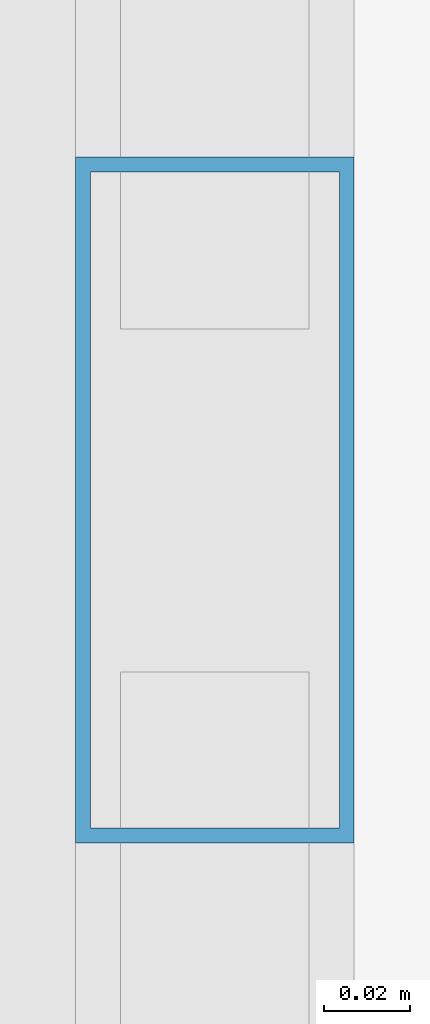
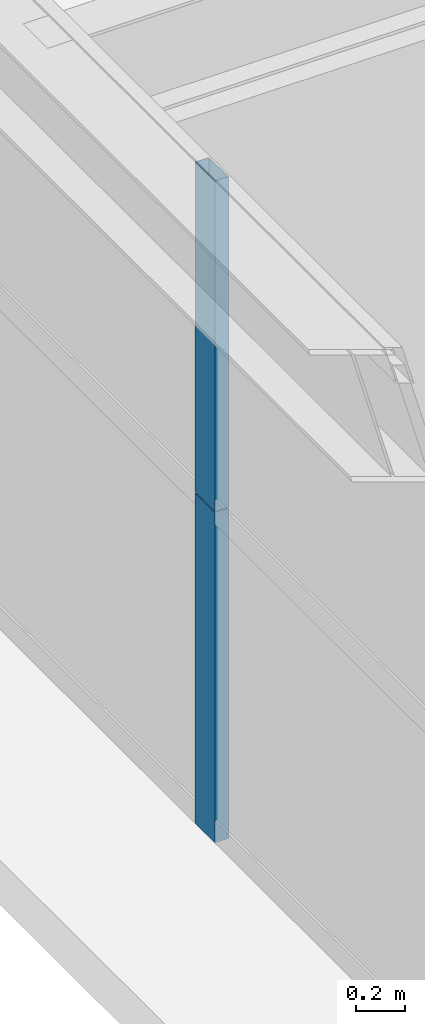
# One storey, part 8 of 38: 2 members, 1 element without a shape of its own.
"""IFC4 building model written with IfcOpenShell, lengths in metres."""

from ifc_helpers import new_model, si_unit, direction, frame, origin, origin_2d, place, context, subcontext, project, spatial, hollow_rectangle, extrude, source, transform, mapped, material, layer, layer_set, material_profile, profile_set, type_object, element, aggregate, save


model = new_model("IFC4")

# Units and contexts
model_context = context("Model", 3, precision=1e-05, world=origin(), true_north=direction((0.0, 1.0)))
body_context = subcontext(model_context, "Body", "Model", "MODEL_VIEW")
ifc_project = project(units=[si_unit("LENGTHUNIT", "METRE"), si_unit("AREAUNIT", "SQUARE_METRE"), si_unit("VOLUMEUNIT", "CUBIC_METRE"), si_unit("PLANEANGLEUNIT", "RADIAN"), si_unit("MASSUNIT", "GRAM", prefix="KILO"), si_unit("THERMODYNAMICTEMPERATUREUNIT", "KELVIN"), si_unit("POWERUNIT", "WATT")], contexts=[model_context])

# Site, building, storey
site_placement = place(None, origin())
site = spatial("IfcSite", under=ifc_project, at=site_placement, CompositionType="ELEMENT")
building_placement = place(site_placement, origin())
building = spatial("IfcBuilding", under=site, at=building_placement, Name="Yuzanri Waterfront Tower", CompositionType="ELEMENT")
storey_placement = place(building_placement, frame((0.0, 0.0, 209.0)))
storey = spatial("IfcBuildingStorey", under=building, at=storey_placement, Name="L55", CompositionType="ELEMENT", Elevation=209.0)

# Curtain wall, members
ifc_material_1 = material(Name="Anodized Architectural Bronze", Category="metal")
ifc_layer = layer(ifc_material_1, 0.159912109375)
ifc_layer_set = layer_set([ifc_layer], Name="Anodized Architectural Bronze")
curtain_wall_type = type_object("IfcCurtainWallType", Name="Anodized Bronze Mid-Rise Residential Acoustic Unitized Curtain Wall 7200", PredefinedType="NOTDEFINED", material=ifc_layer_set)
curtain_wall_placement = place(storey_placement, origin())
curtain_wall = element("IfcCurtainWall", 1, at=curtain_wall_placement, inside=storey, type_object=curtain_wall_type, Name="L55 Curtain Wall CW-L55-WL", PredefinedType="NOTDEFINED")
ifc_material_2 = material(Name="Anodized Architectural Bronze", Category="metal")
ifc_material_profile = material_profile(ifc_material_2, hollow_rectangle(XDim=0.06494140625, YDim=0.159912109375, WallThickness=0.00341796875, at=origin_2d()), Name="CWM 65x160")
ifc_profile_set = profile_set([ifc_material_profile], Name="Anodized Architectural Bronze")
member_type = type_object("IfcMemberType", Name="Anodized Bronze Upper-Zone Curtain-Wall Mullion 65x160", PredefinedType="MULLION", material=ifc_profile_set)
shared_shape = source(origin(), body_context, "Body", "SweptSolid", [
    extrude(hollow_rectangle(XDim=0.06494140625, YDim=0.159912109375, WallThickness=0.00341796875, at=origin_2d()), origin(), (0.0, 0.0, 1.0), 1.637939453125),
])
member_1_placement = place(storey_placement, frame((15.050048828125, 18.22509765625, 0.0), z_axis=(0.0, 0.0, 1.0), x_axis=(1.0, 0.0, 0.0)))
member_1 = element("IfcMember", 2, at=member_1_placement, type_object=member_type, Name="CW-L55-WL Lower Mullion 01", PredefinedType="MULLION", context=body_context, shape_type="MappedRepresentation", body=[
    mapped(shared_shape, transform((0.0, 0.0, 0.0), scale=1.0)),
])
member_2_placement = place(storey_placement, frame((15.050048828125, 18.22509765625, 1.64208984375), z_axis=(0.0, 0.0, 1.0), x_axis=(1.0, 0.0, 0.0)))
member_2 = element("IfcMember", 3, at=member_2_placement, type_object=member_type, Name="CW-L55-WL Upper Mullion 01", PredefinedType="MULLION", context=body_context, shape_type="MappedRepresentation", body=[
    mapped(shared_shape, transform((0.0, 0.0, 0.0), scale=1.0)),
])
aggregate(curtain_wall, [member_1, member_2])

save(model, "model.ifc")
